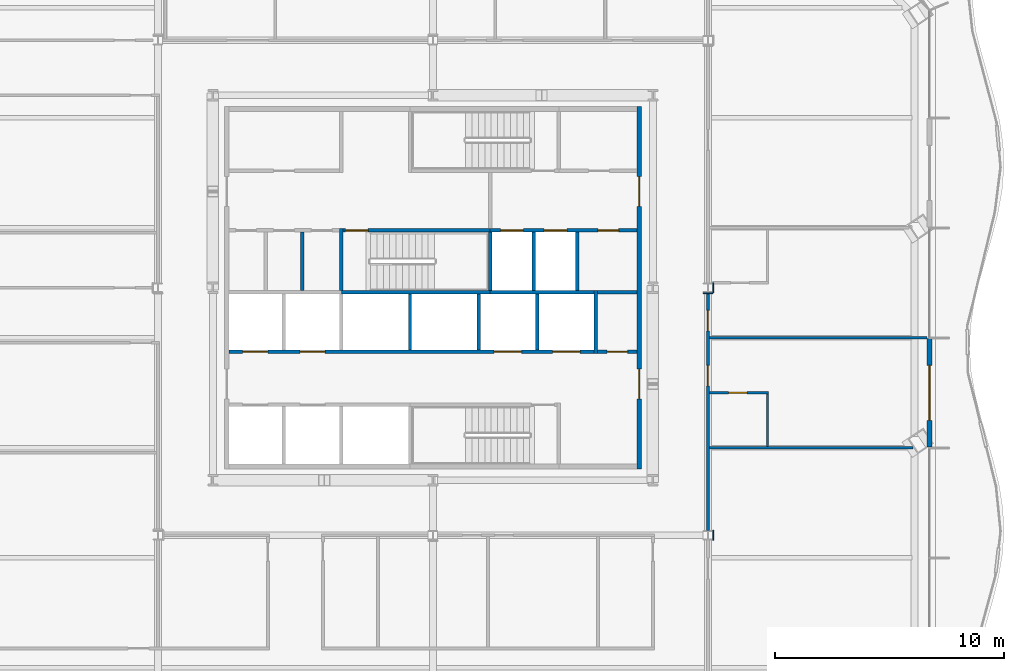
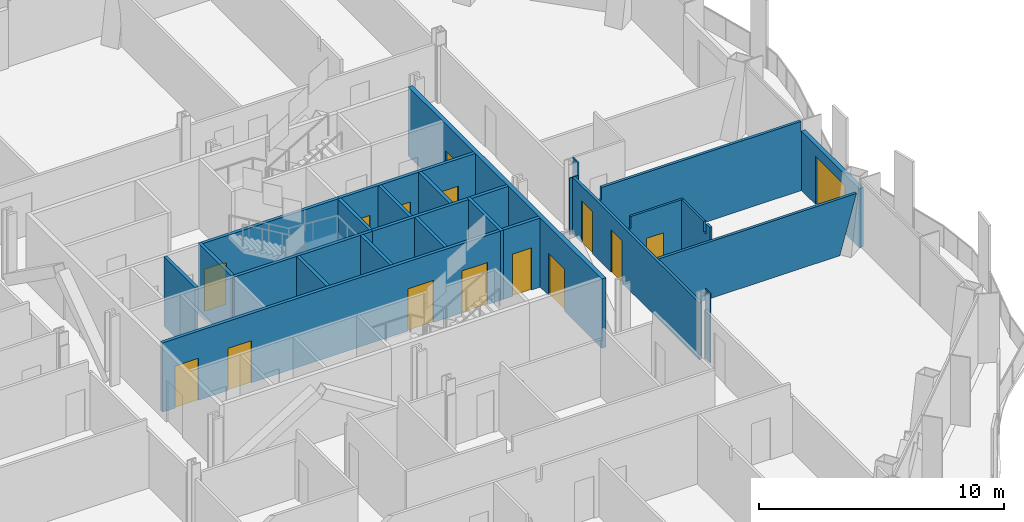
# One storey, part 9 of 19: 26 walls, 15 doors, 15 openings.
"""IFC4 building model written with IfcOpenShell, lengths in metres."""

from ifc_helpers import new_model, si_unit, direction, frame, frame_2d, origin, place, context, subcontext, project, spatial, polyline, rectangle, outline, extrude, material, layer, layer_set, type_object, element, fill, save


model = new_model("IFC4")

# Units and contexts
model_context = context("Model", 3, precision=1e-05, world=origin(), true_north=direction((0.0, 1.0)))
body_context = subcontext(model_context, "Body", "Model", "MODEL_VIEW")
ifc_project = project(units=[si_unit("LENGTHUNIT", "METRE"), si_unit("AREAUNIT", "SQUARE_METRE"), si_unit("VOLUMEUNIT", "CUBIC_METRE"), si_unit("PLANEANGLEUNIT", "RADIAN"), si_unit("MASSUNIT", "GRAM", prefix="KILO")], contexts=[model_context])

# Site, building, storey
site_placement = place(None, origin())
site = spatial("IfcSite", under=ifc_project, at=site_placement, CompositionType="ELEMENT")
building_placement = place(site_placement, origin())
building = spatial("IfcBuilding", under=site, at=building_placement, Name="Cairn Pilgrim Tower", CompositionType="ELEMENT")
storey_placement = place(building_placement, frame((0.0, 0.0, 90.60009765625)))
storey = spatial("IfcBuildingStorey", under=building, at=storey_placement, Name="L21", CompositionType="ELEMENT", Elevation=90.60009765625)

# Wall, opening, door
ifc_material_1 = material(Name="Bronze anodised aluminium insulated sandwich panel with mineral wool fill", Category="aluminium")
ifc_layer_1 = layer(ifc_material_1, 0.199951171875)
ifc_layer_set_1 = layer_set([ifc_layer_1], Name="BRONZE INFILL FRAME WALL 200")
wall_type_1 = type_object("IfcWallType", Name="BRONZE INFILL FRAME WALL 200", PredefinedType="NOTDEFINED", material=ifc_layer_set_1)
wall_1_placement = place(storey_placement, frame((28.87060546875, -4.556396484375, 0.0), z_axis=(0.0, 0.0, 1.0), x_axis=(0.0, 1.0, 0.0)))
wall_1 = element("IfcWall", 1, at=wall_1_placement, inside=storey, type_object=wall_type_1, Name="Bronze infill frame wall IW-E3", PredefinedType="NOTDEFINED", context=body_context, shape_type="SweptSolid", body=[
    extrude(rectangle(XDim=4.739990234375, YDim=0.199951171875, at=frame_2d((2.3701171875, 0.0))), origin(), (0.0, 0.0, 1.0), 2.949951171875),
])
opening_1_placement = place(wall_1_placement, frame((1.17041015625, 0.0, 0.0)))
opening_1 = element("IfcOpeningElement", 2, at=opening_1_placement, cuts=wall_1, Name="Opening 2122B", PredefinedType="OPENING", context=body_context, shape_type="SweptSolid", body=[
    extrude(rectangle(XDim=2.39990234375, YDim=2.39990234375, at=frame_2d((1.199951171875, 1.199951171875))), frame((0.0, 0.10986328125, 0.0), z_axis=(0.0, -1.0, 0.0), x_axis=(1.0, 0.0, 0.0)), (0.0, 0.0, 1.0), 0.219970703125),
])
ifc_material_2 = material(Name="Bronze anodised aluminium frame with tinted low-E glass", Category="aluminium")
door_type_1 = type_object("IfcDoorType", Name="BALCONY SLIDING DOOR 2400x2400", OperationType="DOUBLE_DOOR_SLIDING", PredefinedType="DOOR", material=ifc_material_2)
door_1_placement = place(opening_1_placement, origin())
door_1 = element("IfcDoor", 3, at=door_1_placement, inside=storey, type_object=door_type_1, Name="Balcony sliding door 2122B", OperationType="SINGLE_SWING_LEFT", OverallHeight=2.39990234375, OverallWidth=2.39990234375, PredefinedType="DOOR", context=body_context, shape_type="SweptSolid", body=[
    extrude(rectangle(XDim=2.39990234375, YDim=2.39990234375, at=frame_2d((1.199951171875, 1.199951171875))), frame((0.0, 0.02490234375, 0.0), z_axis=(0.0, -1.0, 0.0), x_axis=(1.0, 0.0, 0.0)), (0.0, 0.0, 1.0), 0.050048828125),
])
fill(opening_1, door_1)

# Wall, openings, doors
ifc_material_3 = material(Name="Concrete C32/40", Category="concrete")
ifc_layer_2 = layer(ifc_material_3, 0.199951171875)
ifc_layer_set_2 = layer_set([ifc_layer_2], Name="CORE OUTER WALL 200 EI 120")
wall_type_2 = type_object("IfcWallType", Name="CORE OUTER WALL 200 EI 120", PredefinedType="SOLIDWALL", material=ifc_layer_set_2)
wall_2_placement = place(storey_placement, frame((16.199951171875, -5.5, 0.0), z_axis=(0.0, 0.0, 1.0), x_axis=(0.0, 1.0, 0.0)))
wall_2 = element("IfcWall", 4, at=wall_2_placement, inside=storey, type_object=wall_type_2, Name="CW:L21:V33", PredefinedType="SOLIDWALL", context=body_context, shape_type="SweptSolid", body=[
    extrude(rectangle(XDim=15.800048828125, YDim=0.199951171875, at=frame_2d((7.89990234375, 0.0))), origin(), (0.0, 0.0, 1.0), 3.449951171875),
])
opening_2_placement = place(wall_2_placement, frame((3.050048828125, 0.0, 0.0)))
opening_2 = element("IfcOpeningElement", 5, at=opening_2_placement, cuts=wall_2, Name="Opening CD-E1", PredefinedType="OPENING", context=body_context, shape_type="SweptSolid", body=[
    extrude(rectangle(XDim=1.300048828125, YDim=2.10009765625, at=frame_2d((0.64990234375, 1.050048828125))), frame((0.0, 0.10986328125, 0.0), z_axis=(0.0, -1.0, 0.0), x_axis=(1.0, 0.0, 0.0)), (0.0, 0.0, 1.0), 0.219970703125),
])
opening_3_placement = place(wall_2_placement, frame((11.449951171875, 0.0, 0.0)))
opening_3 = element("IfcOpeningElement", 6, at=opening_3_placement, cuts=wall_2, Name="Opening CD-E2", PredefinedType="OPENING", context=body_context, shape_type="SweptSolid", body=[
    extrude(rectangle(XDim=1.300048828125, YDim=2.10009765625, at=frame_2d((0.64990234375, 1.050048828125))), frame((0.0, 0.10986328125, 0.0), z_axis=(0.0, -1.0, 0.0), x_axis=(1.0, 0.0, 0.0)), (0.0, 0.0, 1.0), 0.219970703125),
])
ifc_material_4 = material(Name="Painted steel", Category="steel")
door_type_2 = type_object("IfcDoorType", Name="CORE LOBBY DOOR 1300x2100", OperationType="DOUBLE_DOOR_SINGLE_SWING", PredefinedType="DOOR", material=ifc_material_4)
door_2_placement = place(opening_2_placement, origin())
door_2 = element("IfcDoor", 7, at=door_2_placement, inside=storey, type_object=door_type_2, Name="CD-E1", OperationType="DOUBLE_DOOR_SINGLE_SWING", OverallHeight=2.10009765625, OverallWidth=1.300048828125, PredefinedType="DOOR", context=body_context, shape_type="SweptSolid", body=[
    extrude(rectangle(XDim=1.300048828125, YDim=2.10009765625, at=frame_2d((0.64990234375, 1.050048828125))), frame((0.0, 0.02490234375, 0.0), z_axis=(0.0, -1.0, 0.0), x_axis=(1.0, 0.0, 0.0)), (0.0, 0.0, 1.0), 0.050048828125),
])
fill(opening_2, door_2)
door_3_placement = place(opening_3_placement, origin())
door_3 = element("IfcDoor", 8, at=door_3_placement, inside=storey, type_object=door_type_2, Name="CD-E2", OperationType="DOUBLE_DOOR_SINGLE_SWING", OverallHeight=2.10009765625, OverallWidth=1.300048828125, PredefinedType="DOOR", context=body_context, shape_type="SweptSolid", body=[
    extrude(rectangle(XDim=1.300048828125, YDim=2.10009765625, at=frame_2d((0.64990234375, 1.050048828125))), frame((0.0, 0.02490234375, 0.0), z_axis=(0.0, -1.0, 0.0), x_axis=(1.0, 0.0, 0.0)), (0.0, 0.0, 1.0), 0.050048828125),
])
fill(opening_3, door_3)

# Wall, opening, door
ifc_layer_3 = layer(ifc_material_3, 0.14990234375)
ifc_layer_set_3 = layer_set([ifc_layer_3], Name="CORE PARTITION 150 EI 60")
wall_type_3 = type_object("IfcWallType", Name="CORE PARTITION 150 EI 60", PredefinedType="PARTITIONING", material=ifc_layer_set_3)
wall_3_placement = place(storey_placement, frame((14.375, -0.39990234375, 0.0), z_axis=(0.0, 0.0, 1.0), x_axis=(1.0, 0.0, 0.0)))
wall_3 = element("IfcWall", 9, at=wall_3_placement, inside=storey, type_object=wall_type_3, Name="CW:L21:H04", PredefinedType="PARTITIONING", context=body_context, shape_type="SweptSolid", body=[
    extrude(rectangle(XDim=1.72509765625, YDim=0.14990234375, at=frame_2d((0.862548828125, 0.0))), origin(), (0.0, 0.0, 1.0), 3.449951171875),
])
opening_4_placement = place(wall_3_placement, frame((0.425048828125, 0.0, 0.0)))
opening_4 = element("IfcOpeningElement", 10, at=opening_4_placement, cuts=wall_3, Name="Opening RD-R2E", PredefinedType="OPENING", context=body_context, shape_type="SweptSolid", body=[
    extrude(rectangle(XDim=0.89990234375, YDim=2.10009765625, at=frame_2d((0.449951171875, 1.050048828125))), frame((0.0, 0.0849609375, 0.0), z_axis=(0.0, -1.0, 0.0), x_axis=(1.0, 0.0, 0.0)), (0.0, 0.0, 1.0), 0.169921875),
])
door_type_3 = type_object("IfcDoorType", Name="SERVICE ROOM DOOR 900x2100", OperationType="SINGLE_SWING_LEFT", PredefinedType="DOOR", material=ifc_material_4)
door_4_placement = place(opening_4_placement, origin())
door_4 = element("IfcDoor", 11, at=door_4_placement, inside=storey, type_object=door_type_3, Name="RD-R2E", OperationType="SINGLE_SWING_LEFT", OverallHeight=2.10009765625, OverallWidth=0.89990234375, PredefinedType="DOOR", context=body_context, shape_type="SweptSolid", body=[
    extrude(rectangle(XDim=0.89990234375, YDim=2.10009765625, at=frame_2d((0.449951171875, 1.050048828125))), frame((0.0, 0.02490234375, 0.0), z_axis=(0.0, -1.0, 0.0), x_axis=(1.0, 0.0, 0.0)), (0.0, 0.0, 1.0), 0.050048828125),
])
fill(opening_4, door_4)

# Walls
wall_4_placement = place(storey_placement, frame((14.375, 2.199951171875, 0.0), z_axis=(0.0, 0.0, 1.0), x_axis=(1.0, 0.0, 0.0)))
element("IfcWall", 12, at=wall_4_placement, inside=storey, type_object=wall_type_3, Name="CW:L21:H06", PredefinedType="PARTITIONING", context=body_context, shape_type="SweptSolid", body=[
    extrude(rectangle(XDim=1.72509765625, YDim=0.14990234375, at=frame_2d((0.862548828125, 0.0))), origin(), (0.0, 0.0, 1.0), 3.449951171875),
])
wall_5_placement = place(storey_placement, frame((1.5, 2.27490234375, 0.0), z_axis=(0.0, 0.0, 1.0), x_axis=(0.0, 1.0, 0.0)))
element("IfcWall", 13, at=wall_5_placement, inside=storey, type_object=wall_type_3, Name="CW:L21:V16", PredefinedType="PARTITIONING", context=body_context, shape_type="SweptSolid", body=[
    extrude(rectangle(XDim=2.550048828125, YDim=0.14990234375, at=frame_2d((1.27490234375, 0.0))), origin(), (0.0, 0.0, 1.0), 3.449951171875),
])

# Wall, openings, doors
ifc_layer_4 = layer(ifc_material_3, 0.14990234375)
ifc_layer_set_4 = layer_set([ifc_layer_4], Name="CORE SHAFT WALL 150 EI 120")
wall_type_4 = type_object("IfcWallType", Name="CORE SHAFT WALL 150 EI 120", PredefinedType="SOLIDWALL", material=ifc_layer_set_4)
wall_6_placement = place(storey_placement, frame((-1.699951171875, -0.39990234375, 0.0), z_axis=(0.0, 0.0, 1.0), x_axis=(1.0, 0.0, 0.0)))
wall_6 = element("IfcWall", 14, at=wall_6_placement, inside=storey, type_object=wall_type_4, Name="CW:L21:H03", PredefinedType="SOLIDWALL", context=body_context, shape_type="SweptSolid", body=[
    extrude(rectangle(XDim=15.925048828125, YDim=0.14990234375, at=frame_2d((7.96240234375, 0.0))), origin(), (0.0, 0.0, 1.0), 3.449951171875),
])
opening_5_placement = place(wall_6_placement, frame((0.60009765625, 0.0, 0.0)))
opening_5 = element("IfcOpeningElement", 15, at=opening_5_placement, cuts=wall_6, Name="Opening LD-LR3", PredefinedType="OPENING", context=body_context, shape_type="SweptSolid", body=[
    extrude(rectangle(XDim=1.10009765625, YDim=2.10009765625, at=frame_2d((0.550048828125, 1.050048828125))), frame((0.0, 0.0849609375, 0.0), z_axis=(0.0, -1.0, 0.0), x_axis=(1.0, 0.0, 0.0)), (0.0, 0.0, 1.0), 0.169921875),
])
opening_6_placement = place(wall_6_placement, frame((3.10009765625, 0.0, 0.0)))
opening_6 = element("IfcOpeningElement", 16, at=opening_6_placement, cuts=wall_6, Name="Opening LD-LR4", PredefinedType="OPENING", context=body_context, shape_type="SweptSolid", body=[
    extrude(rectangle(XDim=1.10009765625, YDim=2.10009765625, at=frame_2d((0.550048828125, 1.050048828125))), frame((0.0, 0.0849609375, 0.0), z_axis=(0.0, -1.0, 0.0), x_axis=(1.0, 0.0, 0.0)), (0.0, 0.0, 1.0), 0.169921875),
])
opening_7_placement = place(wall_6_placement, frame((11.574951171875, 0.0, 0.0)))
opening_7 = element("IfcOpeningElement", 17, at=opening_7_placement, cuts=wall_6, Name="Opening LD-SV1", PredefinedType="OPENING", context=body_context, shape_type="SweptSolid", body=[
    extrude(rectangle(XDim=1.199951171875, YDim=2.10009765625, at=frame_2d((0.60009765625, 1.050048828125))), frame((0.0, 0.0849609375, 0.0), z_axis=(0.0, -1.0, 0.0), x_axis=(1.0, 0.0, 0.0)), (0.0, 0.0, 1.0), 0.169921875),
])
opening_8_placement = place(wall_6_placement, frame((14.125, 0.0, 0.0)))
opening_8 = element("IfcOpeningElement", 18, at=opening_8_placement, cuts=wall_6, Name="Opening LD-SV2", PredefinedType="OPENING", context=body_context, shape_type="SweptSolid", body=[
    extrude(rectangle(XDim=1.199951171875, YDim=2.10009765625, at=frame_2d((0.60009765625, 1.050048828125))), frame((0.0, 0.0849609375, 0.0), z_axis=(0.0, -1.0, 0.0), x_axis=(1.0, 0.0, 0.0)), (0.0, 0.0, 1.0), 0.169921875),
])
ifc_material_5 = material(Name="Stainless steel", Category="steel")
door_type_4 = type_object("IfcDoorType", Name="LIFT LANDING DOOR 1100x2100", OperationType="DOUBLE_DOOR_SLIDING", PredefinedType="DOOR", material=ifc_material_5)
door_5_placement = place(opening_5_placement, origin())
door_5 = element("IfcDoor", 19, at=door_5_placement, inside=storey, type_object=door_type_4, Name="LANDING DOOR LR3", OperationType="DOUBLE_DOOR_SLIDING", OverallHeight=2.10009765625, OverallWidth=1.10009765625, PredefinedType="DOOR", context=body_context, shape_type="SweptSolid", body=[
    extrude(rectangle(XDim=1.10009765625, YDim=2.10009765625, at=frame_2d((0.550048828125, 1.050048828125))), frame((0.0, 0.02490234375, 0.0), z_axis=(0.0, -1.0, 0.0), x_axis=(1.0, 0.0, 0.0)), (0.0, 0.0, 1.0), 0.050048828125),
])
fill(opening_5, door_5)
door_6_placement = place(opening_6_placement, origin())
door_6 = element("IfcDoor", 20, at=door_6_placement, inside=storey, type_object=door_type_4, Name="LANDING DOOR LR4", OperationType="DOUBLE_DOOR_SLIDING", OverallHeight=2.10009765625, OverallWidth=1.10009765625, PredefinedType="DOOR", context=body_context, shape_type="SweptSolid", body=[
    extrude(rectangle(XDim=1.10009765625, YDim=2.10009765625, at=frame_2d((0.550048828125, 1.050048828125))), frame((0.0, 0.02490234375, 0.0), z_axis=(0.0, -1.0, 0.0), x_axis=(1.0, 0.0, 0.0)), (0.0, 0.0, 1.0), 0.050048828125),
])
fill(opening_6, door_6)
door_type_5 = type_object("IfcDoorType", Name="LIFT LANDING DOOR 1200x2100", OperationType="DOUBLE_DOOR_SLIDING", PredefinedType="DOOR", material=ifc_material_5)
door_7_placement = place(opening_7_placement, origin())
door_7 = element("IfcDoor", 21, at=door_7_placement, inside=storey, type_object=door_type_5, Name="LANDING DOOR SV1", OperationType="DOUBLE_DOOR_SLIDING", OverallHeight=2.10009765625, OverallWidth=1.199951171875, PredefinedType="DOOR", context=body_context, shape_type="SweptSolid", body=[
    extrude(rectangle(XDim=1.199951171875, YDim=2.10009765625, at=frame_2d((0.60009765625, 1.050048828125))), frame((0.0, 0.02490234375, 0.0), z_axis=(0.0, -1.0, 0.0), x_axis=(1.0, 0.0, 0.0)), (0.0, 0.0, 1.0), 0.050048828125),
])
fill(opening_7, door_7)
door_8_placement = place(opening_8_placement, origin())
door_8 = element("IfcDoor", 22, at=door_8_placement, inside=storey, type_object=door_type_5, Name="LANDING DOOR SV2", OperationType="DOUBLE_DOOR_SLIDING", OverallHeight=2.10009765625, OverallWidth=1.199951171875, PredefinedType="DOOR", context=body_context, shape_type="SweptSolid", body=[
    extrude(rectangle(XDim=1.199951171875, YDim=2.10009765625, at=frame_2d((0.60009765625, 1.050048828125))), frame((0.0, 0.02490234375, 0.0), z_axis=(0.0, -1.0, 0.0), x_axis=(1.0, 0.0, 0.0)), (0.0, 0.0, 1.0), 0.050048828125),
])
fill(opening_8, door_8)

# Wall
wall_7_placement = place(storey_placement, frame((9.699951171875, 2.199951171875, 0.0), z_axis=(0.0, 0.0, 1.0), x_axis=(1.0, 0.0, 0.0)))
element("IfcWall", 23, at=wall_7_placement, inside=storey, type_object=wall_type_4, Name="CW:L21:H05-3", PredefinedType="SOLIDWALL", context=body_context, shape_type="SweptSolid", body=[
    extrude(rectangle(XDim=4.525146484375, YDim=0.14990234375, at=frame_2d((2.2626953125, 0.0))), origin(), (0.0, 0.0, 1.0), 3.449951171875),
])

# Wall, openings, doors
wall_8_placement = place(storey_placement, frame((9.699951171875, 4.89990234375, 0.0), z_axis=(0.0, 0.0, 1.0), x_axis=(1.0, 0.0, 0.0)))
wall_8 = element("IfcWall", 24, at=wall_8_placement, inside=storey, type_object=wall_type_4, Name="CW:L21:H08-2", PredefinedType="SOLIDWALL", context=body_context, shape_type="SweptSolid", body=[
    extrude(rectangle(XDim=6.400146484375, YDim=0.14990234375, at=frame_2d((3.2001953125, 0.0))), origin(), (0.0, 0.0, 1.0), 3.449951171875),
])
opening_9_placement = place(wall_8_placement, frame((0.449951171875, 0.0, 0.0)))
opening_9 = element("IfcOpeningElement", 25, at=opening_9_placement, cuts=wall_8, Name="Opening LD-FF1", PredefinedType="OPENING", context=body_context, shape_type="SweptSolid", body=[
    extrude(rectangle(XDim=1.0, YDim=2.10009765625, at=frame_2d((0.5, 1.050048828125))), frame((0.0, 0.0849609375, 0.0), z_axis=(0.0, -1.0, 0.0), x_axis=(1.0, 0.0, 0.0)), (0.0, 0.0, 1.0), 0.169921875),
])
opening_10_placement = place(wall_8_placement, frame((2.35009765625, 0.0, 0.0)))
opening_10 = element("IfcOpeningElement", 26, at=opening_10_placement, cuts=wall_8, Name="Opening LD-FF2", PredefinedType="OPENING", context=body_context, shape_type="SweptSolid", body=[
    extrude(rectangle(XDim=1.0, YDim=2.10009765625, at=frame_2d((0.5, 1.050048828125))), frame((0.0, 0.0849609375, 0.0), z_axis=(0.0, -1.0, 0.0), x_axis=(1.0, 0.0, 0.0)), (0.0, 0.0, 1.0), 0.169921875),
])
opening_11_placement = place(wall_8_placement, frame((4.699951171875, 0.0, 0.0)))
opening_11 = element("IfcOpeningElement", 27, at=opening_11_placement, cuts=wall_8, Name="Opening RD-R3E", PredefinedType="OPENING", context=body_context, shape_type="SweptSolid", body=[
    extrude(rectangle(XDim=0.89990234375, YDim=2.10009765625, at=frame_2d((0.449951171875, 1.050048828125))), frame((0.0, 0.0849609375, 0.0), z_axis=(0.0, -1.0, 0.0), x_axis=(1.0, 0.0, 0.0)), (0.0, 0.0, 1.0), 0.169921875),
])
door_type_6 = type_object("IfcDoorType", Name="LIFT LANDING DOOR FIRE 1000x2100", OperationType="DOUBLE_DOOR_SLIDING", PredefinedType="DOOR", material=ifc_material_5)
door_9_placement = place(opening_9_placement, origin())
door_9 = element("IfcDoor", 28, at=door_9_placement, inside=storey, type_object=door_type_6, Name="LANDING DOOR FF1", OperationType="DOUBLE_DOOR_SLIDING", OverallHeight=2.10009765625, OverallWidth=1.0, PredefinedType="DOOR", context=body_context, shape_type="SweptSolid", body=[
    extrude(rectangle(XDim=1.0, YDim=2.10009765625, at=frame_2d((0.5, 1.050048828125))), frame((0.0, 0.02490234375, 0.0), z_axis=(0.0, -1.0, 0.0), x_axis=(1.0, 0.0, 0.0)), (0.0, 0.0, 1.0), 0.050048828125),
])
fill(opening_9, door_9)
door_10_placement = place(opening_10_placement, origin())
door_10 = element("IfcDoor", 29, at=door_10_placement, inside=storey, type_object=door_type_6, Name="LANDING DOOR FF2", OperationType="DOUBLE_DOOR_SLIDING", OverallHeight=2.10009765625, OverallWidth=1.0, PredefinedType="DOOR", context=body_context, shape_type="SweptSolid", body=[
    extrude(rectangle(XDim=1.0, YDim=2.10009765625, at=frame_2d((0.5, 1.050048828125))), frame((0.0, 0.02490234375, 0.0), z_axis=(0.0, -1.0, 0.0), x_axis=(1.0, 0.0, 0.0)), (0.0, 0.0, 1.0), 0.050048828125),
])
fill(opening_10, door_10)
door_11_placement = place(opening_11_placement, origin())
door_11 = element("IfcDoor", 30, at=door_11_placement, inside=storey, type_object=door_type_3, Name="RD-R3E", OperationType="SINGLE_SWING_RIGHT", OverallHeight=2.10009765625, OverallWidth=0.89990234375, PredefinedType="DOOR", context=body_context, shape_type="SweptSolid", body=[
    extrude(rectangle(XDim=0.89990234375, YDim=2.10009765625, at=frame_2d((0.449951171875, 1.050048828125))), frame((0.0, 0.02490234375, 0.0), z_axis=(0.0, -1.0, 0.0), x_axis=(1.0, 0.0, 0.0)), (0.0, 0.0, 1.0), 0.050048828125),
])
fill(opening_11, door_11)

# Walls
for number, where, z_axis, x_axis, name in (
    (31, (6.199951171875, -0.324951171875, 0.0), (0.0, 0.0, 1.0), (0.0, 1.0, 0.0), "CW:L21:V22"),
    (32, (9.199951171875, -0.324951171875, 0.0), (0.0, 0.0, 1.0), (0.0, 1.0, 0.0), "CW:L21:V24"),
):
    element("IfcWall", number, at=place(storey_placement, frame(where, z_axis=z_axis, x_axis=x_axis)), inside=storey, type_object=wall_type_4, Name=name, PredefinedType="SOLIDWALL", context=body_context, shape_type="SweptSolid", body=[
        extrude(rectangle(XDim=2.449951171875, YDim=0.14990234375, at=frame_2d((1.22509765625, 0.0))), origin(), (0.0, 0.0, 1.0), 3.449951171875),
    ])
wall_9_placement = place(storey_placement, frame((11.60009765625, 2.27490234375, 0.0), z_axis=(0.0, 0.0, 1.0), x_axis=(0.0, 1.0, 0.0)))
element("IfcWall", 33, at=wall_9_placement, inside=storey, type_object=wall_type_4, Name="CW:L21:V27", PredefinedType="SOLIDWALL", context=body_context, shape_type="SweptSolid", body=[
    extrude(rectangle(XDim=2.550048828125, YDim=0.14990234375, at=frame_2d((1.27490234375, 0.0))), origin(), (0.0, 0.0, 1.0), 3.449951171875),
])
wall_10_placement = place(storey_placement, frame((11.75, -0.324951171875, 0.0), z_axis=(0.0, 0.0, 1.0), x_axis=(0.0, 1.0, 0.0)))
element("IfcWall", 34, at=wall_10_placement, inside=storey, type_object=wall_type_4, Name="CW:L21:V28", PredefinedType="SOLIDWALL", context=body_context, shape_type="SweptSolid", body=[
    extrude(rectangle(XDim=2.449951171875, YDim=0.14990234375, at=frame_2d((1.22509765625, 0.0))), origin(), (0.0, 0.0, 1.0), 3.449951171875),
])
wall_11_placement = place(storey_placement, frame((13.5, 2.27490234375, 0.0), z_axis=(0.0, 0.0, 1.0), x_axis=(0.0, 1.0, 0.0)))
element("IfcWall", 35, at=wall_11_placement, inside=storey, type_object=wall_type_4, Name="CW:L21:V31", PredefinedType="SOLIDWALL", context=body_context, shape_type="SweptSolid", body=[
    extrude(rectangle(XDim=2.550048828125, YDim=0.14990234375, at=frame_2d((1.27490234375, 0.0))), origin(), (0.0, 0.0, 1.0), 3.449951171875),
])
wall_12_placement = place(storey_placement, frame((14.300048828125, -0.47509765625, 0.0), z_axis=(0.0, 0.0, 1.0), x_axis=(0.0, 1.0, 0.0)))
element("IfcWall", 36, at=wall_12_placement, inside=storey, type_object=wall_type_4, Name="CW:L21:V32", PredefinedType="SOLIDWALL", context=body_context, shape_type="SweptSolid", body=[
    extrude(rectangle(XDim=2.75, YDim=0.14990234375, at=frame_2d((1.375, 0.0))), origin(), (0.0, 0.0, 1.0), 3.449951171875),
])
ifc_material_6 = material(Name="Gypsum partition")
ifc_layer_5 = layer(ifc_material_6, 0.10009765625)
ifc_layer_set_5 = layer_set([ifc_layer_5], Name="PARTITION 100 DRYWALL")
wall_type_5 = type_object("IfcWallType", Name="PARTITION 100 DRYWALL", PredefinedType="PARTITIONING", material=ifc_layer_set_5)
wall_13_placement = place(storey_placement, frame((21.800048828125, -4.5234375, 0.0), z_axis=(0.0, 0.0, 1.0), x_axis=(0.0, 1.0, 0.0)))
element("IfcWall", 37, at=wall_13_placement, inside=storey, type_object=wall_type_5, Name="PARTITION W041", PredefinedType="PARTITIONING", context=body_context, shape_type="SweptSolid", body=[
    extrude(outline(polyline([(0.0, 0.0), (2.287353515625, 0.0), (2.28759765625, 3.449951171875), (0.495849609375, 3.449951171875), (0.493896484375, 2.929931640625), (0.2958984375, 2.929931640625), (0.293701171875, 3.449951171875), (0.0, 3.449951171875), (0.0, 0.0)])), frame((0.0, 0.050048828125, 0.0), z_axis=(0.0, -1.0, 0.0), x_axis=(1.0, 0.0, 0.0)), (0.0, 0.0, 1.0), 0.10009765625),
])

# Wall, opening, door
wall_14_placement = place(storey_placement, frame((19.262451171875, -2.18603515625, 0.0), z_axis=(0.0, 0.0, 1.0), x_axis=(1.0, 0.0, 0.0)))
wall_14 = element("IfcWall", 38, at=wall_14_placement, inside=storey, type_object=wall_type_5, Name="PARTITION W044", PredefinedType="PARTITIONING", context=body_context, shape_type="SweptSolid", body=[
    extrude(outline(polyline([(0.0, 0.0), (2.587646484375, 0.0), (2.58740234375, 3.449951171875), (0.08740234375, 3.449951171875), (0.08544921875, 2.829833984375), (0.0, 2.829833984375), (0.0, 0.0)])), frame((0.0, 0.050048828125, 0.0), z_axis=(0.0, -1.0, 0.0), x_axis=(1.0, 0.0, 0.0)), (0.0, 0.0, 1.0), 0.10009765625),
])
opening_12_placement = place(wall_14_placement, frame((0.83740234375, 0.0, 0.0)))
opening_12 = element("IfcOpeningElement", 39, at=opening_12_placement, cuts=wall_14, Name="Opening 2122E", PredefinedType="OPENING", context=body_context, shape_type="SweptSolid", body=[
    extrude(rectangle(XDim=0.800048828125, YDim=2.10009765625, at=frame_2d((0.39990234375, 1.050048828125))), frame((0.0, 0.06005859375, 0.0), z_axis=(0.0, -1.0, 0.0), x_axis=(1.0, 0.0, 0.0)), (0.0, 0.0, 1.0), 0.1201171875),
])
ifc_material_7 = material(Name="Timber door leaf", Category="wood")
door_type_7 = type_object("IfcDoorType", Name="DOOR 800x2100", OperationType="NOTDEFINED", PredefinedType="DOOR", material=ifc_material_7)
door_12_placement = place(opening_12_placement, frame((0.800048828125, 0.0, 0.0), z_axis=(0.0, 0.0, 1.0), x_axis=(-1.0, 0.0, 0.0)))
door_12 = element("IfcDoor", 40, at=door_12_placement, inside=storey, type_object=door_type_7, Name="DOOR 2122E", OperationType="SINGLE_SWING_RIGHT", OverallHeight=2.10009765625, OverallWidth=0.800048828125, PredefinedType="DOOR", context=body_context, shape_type="SweptSolid", body=[
    extrude(rectangle(XDim=0.800048828125, YDim=2.10009765625, at=frame_2d((0.39990234375, 1.050048828125))), frame((0.0, 0.02490234375, 0.0), z_axis=(0.0, -1.0, 0.0), x_axis=(1.0, 0.0, 0.0)), (0.0, 0.0, 1.0), 0.050048828125),
])
fill(opening_12, door_12)

# Wall, openings, doors
ifc_layer_6 = layer(ifc_material_6, 0.125)
ifc_layer_set_6 = layer_set([ifc_layer_6], Name="PARTITION 125 DRYWALL EI 60")
wall_type_6 = type_object("IfcWallType", Name="PARTITION 125 DRYWALL EI 60", PredefinedType="PARTITIONING", material=ifc_layer_set_6)
wall_15_placement = place(storey_placement, frame((19.199951171875, -8.1875, 0.0), z_axis=(0.0, 0.0, 1.0), x_axis=(0.0, 1.0, 0.0)))
wall_15 = element("IfcWall", 41, at=wall_15_placement, inside=storey, type_object=wall_type_6, Name="PARTITION W038", PredefinedType="PARTITIONING", context=body_context, shape_type="SweptSolid", body=[
    extrude(rectangle(XDim=10.375, YDim=0.125, at=frame_2d((5.1875, 0.0))), origin(), (0.0, 0.0, 1.0), 2.829833984375),
])
opening_13_placement = place(wall_15_placement, frame((6.301513671875, 0.0, 0.0)))
opening_13 = element("IfcOpeningElement", 42, at=opening_13_placement, cuts=wall_15, Name="Opening 2122", PredefinedType="OPENING", context=body_context, shape_type="SweptSolid", body=[
    extrude(rectangle(XDim=0.89990234375, YDim=2.10009765625, at=frame_2d((0.449951171875, 1.050048828125))), frame((0.0, 0.072509765625, 0.0), z_axis=(0.0, -1.0, 0.0), x_axis=(1.0, 0.0, 0.0)), (0.0, 0.0, 1.0), 0.14501953125),
])
opening_14_placement = place(wall_15_placement, frame((8.701416015625, 0.0, 0.0)))
opening_14 = element("IfcOpeningElement", 43, at=opening_14_placement, cuts=wall_15, Name="Opening 2123", PredefinedType="OPENING", context=body_context, shape_type="SweptSolid", body=[
    extrude(rectangle(XDim=0.89990234375, YDim=2.10009765625, at=frame_2d((0.449951171875, 1.050048828125))), frame((0.0, 0.072509765625, 0.0), z_axis=(0.0, -1.0, 0.0), x_axis=(1.0, 0.0, 0.0)), (0.0, 0.0, 1.0), 0.14501953125),
])
ifc_material_8 = material(Name="Steel-faced fire door leaf", Category="steel")
door_type_8 = type_object("IfcDoorType", Name="FIRE DOOR 900x2100 FD30S", OperationType="NOTDEFINED", PredefinedType="DOOR", material=ifc_material_8)
door_13_placement = place(opening_13_placement, frame((0.89990234375, 0.0, 0.0), z_axis=(0.0, 0.0, 1.0), x_axis=(-1.0, 0.0, 0.0)))
door_13 = element("IfcDoor", 44, at=door_13_placement, inside=storey, type_object=door_type_8, Name="DOOR 2122", OperationType="SINGLE_SWING_LEFT", OverallHeight=2.10009765625, OverallWidth=0.89990234375, PredefinedType="DOOR", context=body_context, shape_type="SweptSolid", body=[
    extrude(rectangle(XDim=0.89990234375, YDim=2.10009765625, at=frame_2d((0.449951171875, 1.050048828125))), frame((0.0, 0.02490234375, 0.0), z_axis=(0.0, -1.0, 0.0), x_axis=(1.0, 0.0, 0.0)), (0.0, 0.0, 1.0), 0.050048828125),
])
fill(opening_13, door_13)
door_14_placement = place(opening_14_placement, frame((0.89990234375, 0.0, 0.0), z_axis=(0.0, 0.0, 1.0), x_axis=(-1.0, 0.0, 0.0)))
door_14 = element("IfcDoor", 45, at=door_14_placement, inside=storey, type_object=door_type_8, Name="DOOR 2123", OperationType="SINGLE_SWING_LEFT", OverallHeight=2.10009765625, OverallWidth=0.89990234375, PredefinedType="DOOR", context=body_context, shape_type="SweptSolid", body=[
    extrude(rectangle(XDim=0.89990234375, YDim=2.10009765625, at=frame_2d((0.449951171875, 1.050048828125))), frame((0.0, 0.02490234375, 0.0), z_axis=(0.0, -1.0, 0.0), x_axis=(1.0, 0.0, 0.0)), (0.0, 0.0, 1.0), 0.050048828125),
])
fill(opening_14, door_14)

# Walls
wall_16_placement = place(storey_placement, frame((19.262451171875, -4.5859375, 0.0), z_axis=(0.0, 0.0, 1.0), x_axis=(1.0, 0.0, 0.0)))
element("IfcWall", 46, at=wall_16_placement, inside=storey, type_object=wall_type_6, Name="PARTITION W040", PredefinedType="PARTITIONING", context=body_context, shape_type="SweptSolid", body=[
    extrude(outline(polyline([(0.0, 0.0), (8.547119140625, 0.0), (8.78515625, 0.8623046875), (9.023193359375, 1.724853515625), (9.26123046875, 2.58740234375), (9.328125, 2.829833984375), (0.0, 2.829833984375), (0.0, 2.58740234375), (0.0, 1.724853515625), (0.0, 0.8623046875), (0.0, 0.0)])), frame((0.0, 0.0625, 0.0), z_axis=(0.0, -1.0, 0.0), x_axis=(1.0, 0.0, 0.0)), (0.0, 0.0, 1.0), 0.125),
])
wall_17_placement = place(storey_placement, frame((19.262451171875, 0.214111328125, 0.0), z_axis=(0.0, 0.0, 1.0), x_axis=(1.0, 0.0, 0.0)))
element("IfcWall", 47, at=wall_17_placement, inside=storey, type_object=wall_type_6, Name="PARTITION W048", PredefinedType="PARTITIONING", context=body_context, shape_type="SweptSolid", body=[
    extrude(outline(polyline([(0.0, 0.0), (9.508056640625, 0.0), (9.508056640625, 2.929931640625), (9.495849609375, 2.929931640625), (9.493896484375, 3.449951171875), (0.08740234375, 3.449951171875), (0.08544921875, 2.829833984375), (0.0, 2.829833984375), (0.0, 0.0)])), frame((0.0, 0.0625, 0.0), z_axis=(0.0, -1.0, 0.0), x_axis=(1.0, 0.0, 0.0)), (0.0, 0.0, 1.0), 0.125),
])
ifc_layer_7 = layer(ifc_material_6, 0.050048828125)
ifc_layer_set_7 = layer_set([ifc_layer_7], Name="PARTITION 50 DRYWALL")
wall_type_7 = type_object("IfcWallType", Name="PARTITION 50 DRYWALL", PredefinedType="PARTITIONING", material=ifc_layer_set_7)
wall_18_placement = place(storey_placement, frame((18.99560546875, 2.16259765625, 0.0), z_axis=(0.0, 0.0, 1.0), x_axis=(1.0, 0.0, 0.0)))
element("IfcWall", 48, at=wall_18_placement, inside=storey, type_object=wall_type_7, Name="COLUMN CASING WC14", PredefinedType="PARTITIONING", context=body_context, shape_type="SweptSolid", body=[
    extrude(rectangle(XDim=0.408935546875, YDim=0.050048828125, at=frame_2d((0.20458984375, 0.0))), origin(), (0.0, 0.0, 1.0), 2.829833984375),
])
ifc_layer_8 = layer(ifc_material_6, 0.050048828125)
ifc_layer_set_8 = layer_set([ifc_layer_8], Name="PARTITION 50 DRYWALL EI 60")
wall_type_8 = type_object("IfcWallType", Name="PARTITION 50 DRYWALL EI 60", PredefinedType="PARTITIONING", material=ifc_layer_set_8)
for number, where, z_axis, x_axis, name in (
    (49, (19.429443359375, -8.612548828125, 0.0), (0.0, 0.0, 1.0), (0.0, 1.0, 0.0), "COLUMN CASING WC02"),
    (50, (19.429443359375, 2.1875, 0.0), (0.0, 0.0, 1.0), (0.0, 1.0, 0.0), "COLUMN CASING WC03"),
):
    element("IfcWall", number, at=place(storey_placement, frame(where, z_axis=z_axis, x_axis=x_axis)), inside=storey, type_object=wall_type_8, Name=name, PredefinedType="PARTITIONING", context=body_context, shape_type="SweptSolid", body=[
        extrude(rectangle(XDim=0.425048828125, YDim=0.050048828125, at=frame_2d((0.21240234375, 0.0))), origin(), (0.0, 0.0, 1.0), 3.449951171875),
    ])
ifc_material_9 = material(Name="Concrete C35/45", Category="concrete")
ifc_layer_9 = layer(ifc_material_9, 0.14990234375)
ifc_layer_set_9 = layer_set([ifc_layer_9], Name="STAIR SHAFT WALL 150 EI 120")
wall_type_9 = type_object("IfcWallType", Name="STAIR SHAFT WALL 150 EI 120", PredefinedType="SOLIDWALL", material=ifc_layer_set_9)
wall_19_placement = place(storey_placement, frame((3.199951171875, 2.199951171875, 0.0), z_axis=(0.0, 0.0, 1.0), x_axis=(1.0, 0.0, 0.0)))
element("IfcWall", 51, at=wall_19_placement, inside=storey, type_object=wall_type_9, Name="CW:L21:H05-2", PredefinedType="SOLIDWALL", context=body_context, shape_type="SweptSolid", body=[
    extrude(rectangle(XDim=6.5, YDim=0.14990234375, at=frame_2d((3.25, 0.0))), origin(), (0.0, 0.0, 1.0), 3.449951171875),
])

# Wall, opening, door
wall_20_placement = place(storey_placement, frame((3.27490234375, 4.89990234375, 0.0), z_axis=(0.0, 0.0, 1.0), x_axis=(1.0, 0.0, 0.0)))
wall_20 = element("IfcWall", 52, at=wall_20_placement, inside=storey, type_object=wall_type_9, Name="CW:L21:H08-1", PredefinedType="SOLIDWALL", context=body_context, shape_type="SweptSolid", body=[
    extrude(rectangle(XDim=6.425048828125, YDim=0.14990234375, at=frame_2d((3.21240234375, 0.0))), origin(), (0.0, 0.0, 1.0), 3.449951171875),
])
opening_15_placement = place(wall_20_placement, frame((0.10009765625, 0.0, 0.0)))
opening_15 = element("IfcOpeningElement", 53, at=opening_15_placement, cuts=wall_20, Name="Opening SD-B", PredefinedType="OPENING", context=body_context, shape_type="SweptSolid", body=[
    extrude(rectangle(XDim=1.0, YDim=2.10009765625, at=frame_2d((0.5, 1.050048828125))), frame((0.0, 0.0849609375, 0.0), z_axis=(0.0, -1.0, 0.0), x_axis=(1.0, 0.0, 0.0)), (0.0, 0.0, 1.0), 0.169921875),
])
door_type_9 = type_object("IfcDoorType", Name="STAIR DOOR FD60S 1000x2100", OperationType="SINGLE_SWING_LEFT", PredefinedType="DOOR", material=ifc_material_4)
door_15_placement = place(opening_15_placement, origin())
door_15 = element("IfcDoor", 54, at=door_15_placement, inside=storey, type_object=door_type_9, Name="SD-B", OperationType="SINGLE_SWING_LEFT", OverallHeight=2.10009765625, OverallWidth=1.0, PredefinedType="DOOR", context=body_context, shape_type="SweptSolid", body=[
    extrude(rectangle(XDim=1.0, YDim=2.10009765625, at=frame_2d((0.5, 1.050048828125))), frame((0.0, 0.02490234375, 0.0), z_axis=(0.0, -1.0, 0.0), x_axis=(1.0, 0.0, 0.0)), (0.0, 0.0, 1.0), 0.050048828125),
])
fill(opening_15, door_15)

# Walls
wall_21_placement = place(storey_placement, frame((3.199951171875, 2.27490234375, 0.0), z_axis=(0.0, 0.0, 1.0), x_axis=(0.0, 1.0, 0.0)))
element("IfcWall", 55, at=wall_21_placement, inside=storey, type_object=wall_type_9, Name="CW:L21:V19", PredefinedType="SOLIDWALL", context=body_context, shape_type="SweptSolid", body=[
    extrude(rectangle(XDim=2.7001953125, YDim=0.14990234375, at=frame_2d((1.35009765625, 0.0))), origin(), (0.0, 0.0, 1.0), 3.449951171875),
])
wall_22_placement = place(storey_placement, frame((9.699951171875, 2.27490234375, 0.0), z_axis=(0.0, 0.0, 1.0), x_axis=(0.0, 1.0, 0.0)))
element("IfcWall", 56, at=wall_22_placement, inside=storey, type_object=wall_type_9, Name="CW:L21:V25", PredefinedType="SOLIDWALL", context=body_context, shape_type="SweptSolid", body=[
    extrude(rectangle(XDim=2.550048828125, YDim=0.14990234375, at=frame_2d((1.27490234375, 0.0))), origin(), (0.0, 0.0, 1.0), 3.449951171875),
])

save(model, "model.ifc")
